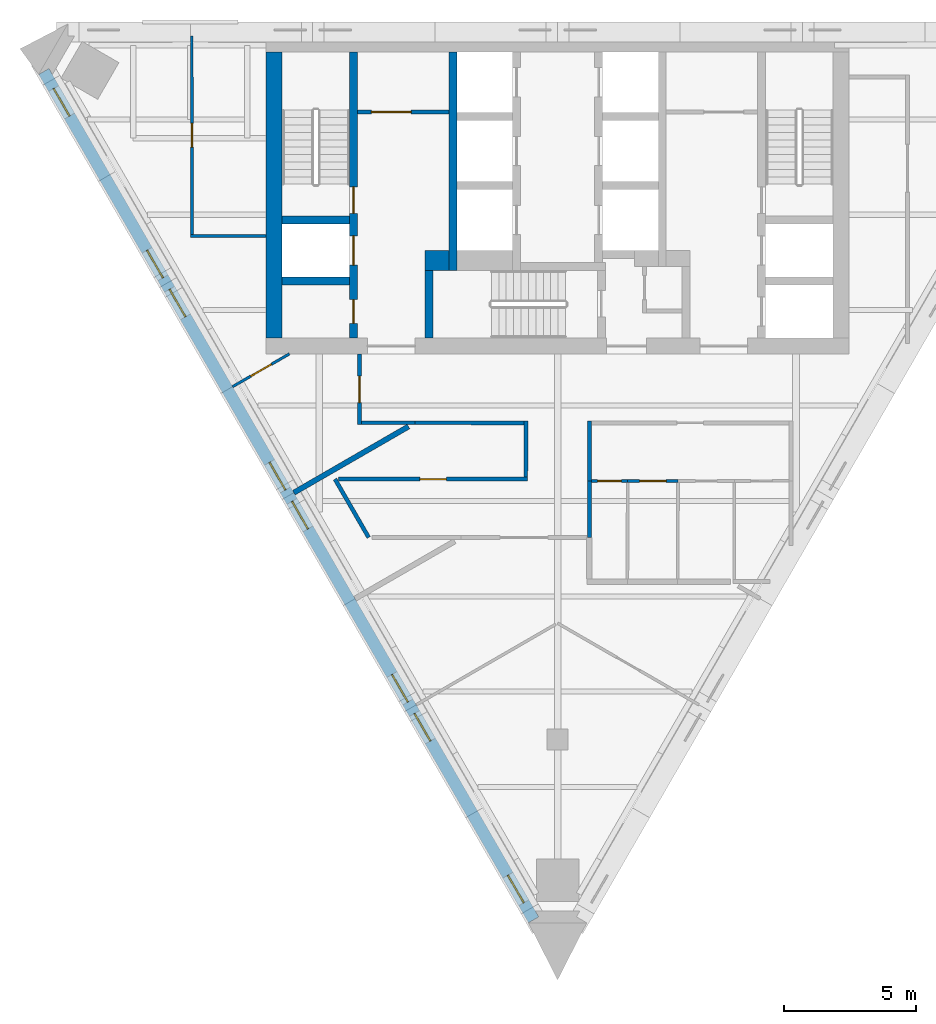
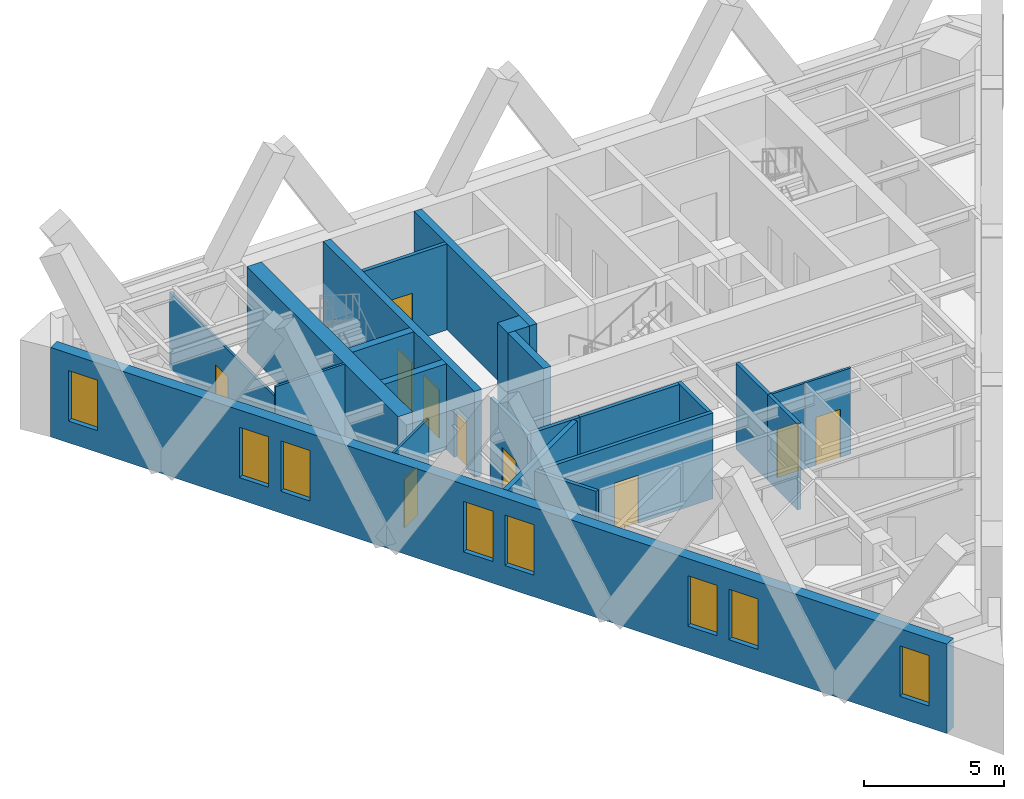
# One storey, part 3 of 7: 23 walls, 10 doors, 8 windows, 18 openings.
"""IFC4 building model written with IfcOpenShell, lengths in metres."""

from ifc_helpers import new_model, si_unit, direction, frame, frame_2d, origin, place, context, subcontext, project, spatial, polyline, rectangle, outline, extrude, material, layer, layer_set, type_object, element, fill, save


model = new_model("IFC4")

# Units and contexts
model_context = context("Model", 3, precision=1e-05, world=origin(), true_north=direction((0.0, 1.0)))
body_context = subcontext(model_context, "Body", "Model", "MODEL_VIEW")
ifc_project = project(units=[si_unit("LENGTHUNIT", "METRE"), si_unit("AREAUNIT", "SQUARE_METRE"), si_unit("VOLUMEUNIT", "CUBIC_METRE"), si_unit("PLANEANGLEUNIT", "RADIAN"), si_unit("MASSUNIT", "GRAM", prefix="KILO")], contexts=[model_context])

# Site, building, storey
site_placement = place(None, origin())
site = spatial("IfcSite", under=ifc_project, at=site_placement, CompositionType="ELEMENT")
building_placement = place(site_placement, origin())
building = spatial("IfcBuilding", under=site, at=building_placement, Name="Aloe Facet Convention Tower", CompositionType="ELEMENT")
storey_placement = place(building_placement, frame((0.0, 0.0, 246.5)))
storey = spatial("IfcBuildingStorey", under=building, at=storey_placement, Name="L60", CompositionType="ELEMENT", Elevation=246.5)

# Wall, opening, door
ifc_material_1 = material(Name="Concrete blockwork partition", Category="masonry")
ifc_layer_1 = layer(ifc_material_1, 0.14990234375)
ifc_layer_set_1 = layer_set([ifc_layer_1], Name="CR-W-PART150")
wall_type_1 = type_object("IfcWallType", Name="CR-W-PART150", PredefinedType="PARTITIONING", material=ifc_layer_set_1)
wall_1_placement = place(storey_placement, frame((72.449951171875, 131.675048828125, 0.0), z_axis=(0.0, 0.0, 1.0), x_axis=(1.0, 0.0, 0.0)))
wall_1 = element("IfcWall", 1, at=wall_1_placement, inside=storey, type_object=wall_type_1, Name="Core partition L60-007", PredefinedType="PARTITIONING", context=body_context, shape_type="SweptSolid", body=[
    extrude(rectangle(XDim=3.449951171875, YDim=0.14990234375, at=frame_2d((1.72509765625, 0.0))), origin(), (0.0, 0.0, 1.0), 3.75),
])
opening_1_placement = place(wall_1_placement, frame((0.52490234375, 0.0, 0.0)))
opening_1 = element("IfcOpeningElement", 2, at=opening_1_placement, cuts=wall_1, Name="Opening L60-CD14", PredefinedType="OPENING", context=body_context, shape_type="SweptSolid", body=[
    extrude(rectangle(XDim=1.5, YDim=2.10009765625, at=frame_2d((0.75, 1.050048828125))), frame((0.0, 0.0849609375, 0.0), z_axis=(0.0, -1.0, 0.0), x_axis=(1.0, 0.0, 0.0)), (0.0, 0.0, 1.0), 0.169921875),
])
ifc_material_2 = material(Name="Steel fire-resisting door set FD60", Category="steel")
door_type_1 = type_object("IfcDoorType", Name="CR-D-REFUGE-1500-FD60-DD", OperationType="DOUBLE_DOOR_DOUBLE_SWING", PredefinedType="DOOR", material=ifc_material_2)
door_1_placement = place(opening_1_placement, origin())
door_1 = element("IfcDoor", 3, at=door_1_placement, inside=storey, type_object=door_type_1, Name="Core door L60-CD14", OperationType="DOUBLE_DOOR_DOUBLE_SWING", OverallHeight=2.10009765625, OverallWidth=1.5, PredefinedType="DOOR", context=body_context, shape_type="SweptSolid", body=[
    extrude(rectangle(XDim=1.5, YDim=2.10009765625, at=frame_2d((0.75, 1.050048828125))), frame((0.0, 0.02490234375, 0.0), z_axis=(0.0, -1.0, 0.0), x_axis=(1.0, 0.0, 0.0)), (0.0, 0.0, 1.0), 0.050048828125),
])
fill(opening_1, door_1)

# Walls
ifc_material_3 = material(Name="Concrete C50/60", Category="concrete")
ifc_layer_2 = layer(ifc_material_3, 0.300048828125)
ifc_layer_set_2 = layer_set([ifc_layer_2], Name="CR-W-RC300-C5060")
wall_type_2 = type_object("IfcWallType", Name="CR-W-RC300-C5060", PredefinedType="SOLIDWALL", material=ifc_layer_set_2)
for number, where, z_axis, x_axis, name in (
    (4, (69.60009765625, 127.60009765625, 0.0), (0.0, 0.0, 1.0), (1.0, 0.0, 0.0), "Core wall L60-004"),
    (5, (69.60009765625, 125.300048828125, 0.0), (0.0, 0.0, 1.0), (1.0, 0.0, 0.0), "Core wall L60-005"),
):
    element("IfcWall", number, at=place(storey_placement, frame(where, z_axis=z_axis, x_axis=x_axis)), inside=storey, type_object=wall_type_2, Name=name, PredefinedType="SOLIDWALL", context=body_context, shape_type="SweptSolid", body=[
        extrude(rectangle(XDim=2.5498046875, YDim=0.300048828125, at=frame_2d((1.27490234375, 0.0))), origin(), (0.0, 0.0, 1.0), 3.75),
    ])

# Wall, openings, doors
wall_2_placement = place(storey_placement, frame((72.300048828125, 133.949951171875, 0.0), z_axis=(0.0, 0.0, 1.0), x_axis=(0.0, -1.0, 0.0)))
wall_2 = element("IfcWall", 6, at=wall_2_placement, inside=storey, type_object=wall_type_2, Name="Core wall L60-006", PredefinedType="SOLIDWALL", context=body_context, shape_type="SweptSolid", body=[
    extrude(rectangle(XDim=10.800048828125, YDim=0.300048828125, at=frame_2d((5.39990234375, 0.0))), origin(), (0.0, 0.0, 1.0), 3.75),
])
opening_2_placement = place(wall_2_placement, frame((6.949951171875, 0.0, 0.0)))
opening_2 = element("IfcOpeningElement", 7, at=opening_2_placement, cuts=wall_2, Name="Opening LD-FF1-L60", PredefinedType="OPENING", context=body_context, shape_type="SweptSolid", body=[
    extrude(rectangle(XDim=1.10009765625, YDim=2.10009765625, at=frame_2d((0.550048828125, 1.050048828125))), frame((0.0, 0.16015625, 0.0), z_axis=(0.0, -1.0, 0.0), x_axis=(1.0, 0.0, 0.0)), (0.0, 0.0, 1.0), 0.320068359375),
])
opening_3_placement = place(wall_2_placement, frame((9.35009765625, 0.0, 0.0)))
opening_3 = element("IfcOpeningElement", 8, at=opening_3_placement, cuts=wall_2, Name="Opening L60-CD15", PredefinedType="OPENING", context=body_context, shape_type="SweptSolid", body=[
    extrude(rectangle(XDim=0.89990234375, YDim=2.10009765625, at=frame_2d((0.449951171875, 1.050048828125))), frame((0.0, 0.16015625, 0.0), z_axis=(0.0, -1.0, 0.0), x_axis=(1.0, 0.0, 0.0)), (0.0, 0.0, 1.0), 0.320068359375),
])
opening_4_placement = place(wall_2_placement, frame((5.10009765625, 0.0, 0.0)))
opening_4 = element("IfcOpeningElement", 9, at=opening_4_placement, cuts=wall_2, Name="Opening L60-CD16", PredefinedType="OPENING", context=body_context, shape_type="SweptSolid", body=[
    extrude(rectangle(XDim=1.0, YDim=2.10009765625, at=frame_2d((0.5, 1.050048828125))), frame((0.0, 0.16015625, 0.0), z_axis=(0.0, -1.0, 0.0), x_axis=(1.0, 0.0, 0.0)), (0.0, 0.0, 1.0), 0.320068359375),
])
ifc_material_4 = material(Name="Steel fire-resisting door set FD60", Category="steel")
door_type_2 = type_object("IfcDoorType", Name="CR-D-ROOM-900-FD60-SLEFT", OperationType="SINGLE_SWING_LEFT", PredefinedType="DOOR", material=ifc_material_4)
door_2_placement = place(opening_3_placement, origin())
door_2 = element("IfcDoor", 10, at=door_2_placement, inside=storey, type_object=door_type_2, Name="Core door L60-CD15", OperationType="SINGLE_SWING_LEFT", OverallHeight=2.10009765625, OverallWidth=0.89990234375, PredefinedType="DOOR", context=body_context, shape_type="SweptSolid", body=[
    extrude(rectangle(XDim=0.89990234375, YDim=2.10009765625, at=frame_2d((0.449951171875, 1.050048828125))), frame((0.0, 0.02490234375, 0.0), z_axis=(0.0, -1.0, 0.0), x_axis=(1.0, 0.0, 0.0)), (0.0, 0.0, 1.0), 0.050048828125),
])
fill(opening_3, door_2)
ifc_material_5 = material(Name="Steel fire-resisting door set FD120", Category="steel")
door_type_3 = type_object("IfcDoorType", Name="CR-D-STAIR-1000-FD120-SRIGHT", OperationType="SINGLE_SWING_RIGHT", PredefinedType="DOOR", material=ifc_material_5)
door_3_placement = place(opening_4_placement, origin())
door_3 = element("IfcDoor", 11, at=door_3_placement, inside=storey, type_object=door_type_3, Name="Core door L60-CD16", OperationType="SINGLE_SWING_RIGHT", OverallHeight=2.10009765625, OverallWidth=1.0, PredefinedType="DOOR", context=body_context, shape_type="SweptSolid", body=[
    extrude(rectangle(XDim=1.0, YDim=2.10009765625, at=frame_2d((0.5, 1.050048828125))), frame((0.0, 0.02490234375, 0.0), z_axis=(0.0, -1.0, 0.0), x_axis=(1.0, 0.0, 0.0)), (0.0, 0.0, 1.0), 0.050048828125),
])
fill(opening_4, door_3)
ifc_material_6 = material(Name="Stainless steel sliding landing door", Category="steel")
door_type_4 = type_object("IfcDoorType", Name="CR-LD-1100-FD120-_LEFT", OperationType="SLIDING_TO_LEFT", PredefinedType="DOOR", material=ifc_material_6)
door_4_placement = place(opening_2_placement, origin())
door_4 = element("IfcDoor", 12, at=door_4_placement, inside=storey, type_object=door_type_4, Name="Landing door FF1 L60", OperationType="SLIDING_TO_LEFT", OverallHeight=2.10009765625, OverallWidth=1.10009765625, PredefinedType="DOOR", context=body_context, shape_type="SweptSolid", body=[
    extrude(rectangle(XDim=1.10009765625, YDim=2.10009765625, at=frame_2d((0.550048828125, 1.050048828125))), frame((0.0, 0.02490234375, 0.0), z_axis=(0.0, -1.0, 0.0), x_axis=(1.0, 0.0, 0.0)), (0.0, 0.0, 1.0), 0.050048828125),
])
fill(opening_2, door_4)

# Walls
wall_3_placement = place(storey_placement, frame((75.14990234375, 125.699951171875, 0.0), z_axis=(0.0, 0.0, 1.0), x_axis=(0.0, -1.0, 0.0)))
element("IfcWall", 13, at=wall_3_placement, inside=storey, type_object=wall_type_2, Name="Core wall L60-009", PredefinedType="SOLIDWALL", context=body_context, shape_type="SweptSolid", body=[
    extrude(rectangle(XDim=2.550048828125, YDim=0.300048828125, at=frame_2d((1.27490234375, 0.0))), origin(), (0.0, 0.0, 1.0), 3.75),
])
wall_4_placement = place(storey_placement, frame((76.050048828125, 133.949951171875, 0.0), z_axis=(0.0, 0.0, 1.0), x_axis=(0.0, -1.0, 0.0)))
element("IfcWall", 14, at=wall_4_placement, inside=storey, type_object=wall_type_2, Name="Core wall L60-010", PredefinedType="SOLIDWALL", context=body_context, shape_type="SweptSolid", body=[
    extrude(rectangle(XDim=8.25, YDim=0.300048828125, at=frame_2d((4.125, 0.0))), origin(), (0.0, 0.0, 1.0), 3.75),
])
ifc_material_7 = material(Name="Concrete C50/60", Category="concrete")
ifc_layer_3 = layer(ifc_material_7, 0.60009765625)
ifc_layer_set_3 = layer_set([ifc_layer_3], Name="CR-W-RC600-C5060")
wall_type_3 = type_object("IfcWallType", Name="CR-W-RC600-C5060", PredefinedType="SOLIDWALL", material=ifc_layer_set_3)
wall_5_placement = place(storey_placement, frame((69.300048828125, 133.949951171875, 0.0), z_axis=(0.0, 0.0, 1.0), x_axis=(0.0, -1.0, 0.0)))
element("IfcWall", 15, at=wall_5_placement, inside=storey, type_object=wall_type_3, Name="Core wall L60-002", PredefinedType="SOLIDWALL", context=body_context, shape_type="SweptSolid", body=[
    extrude(rectangle(XDim=10.800048828125, YDim=0.60009765625, at=frame_2d((5.39990234375, 0.0))), origin(), (0.0, 0.0, 1.0), 3.75),
])
ifc_material_8 = material(Name="Concrete C50/60", Category="concrete")
ifc_layer_4 = layer(ifc_material_8, 0.75)
ifc_layer_set_4 = layer_set([ifc_layer_4], Name="CR-W-RC750-C5060")
wall_type_4 = type_object("IfcWallType", Name="CR-W-RC750-C5060", PredefinedType="SOLIDWALL", material=ifc_layer_set_4)
wall_6_placement = place(storey_placement, frame((75.0, 126.074951171875, 0.0), z_axis=(0.0, 0.0, 1.0), x_axis=(1.0, 0.0, 0.0)))
element("IfcWall", 16, at=wall_6_placement, inside=storey, type_object=wall_type_4, Name="Core wall L60-008", PredefinedType="SOLIDWALL", context=body_context, shape_type="SweptSolid", body=[
    extrude(rectangle(XDim=0.89990234375, YDim=0.75, at=frame_2d((0.449951171875, 0.0))), origin(), (0.0, 0.0, 1.0), 3.75),
])

# Wall, openings, windows
ifc_material_9 = material(Name="Precast concrete C40/50", Category="concrete")
ifc_layer_5 = layer(ifc_material_9, 0.449951171875)
ifc_layer_set_5 = layer_set([ifc_layer_5], Name="EV-WALL-STONE")
wall_type_5 = type_object("IfcWallType", Name="EV-WALL-STONE", PredefinedType="SOLIDWALL", material=ifc_layer_set_5)
wall_7_placement = place(storey_placement, frame((60.608642578125, 133.207275390625, -0.14990234375), z_axis=(0.0, 0.0, 1.0), x_axis=(0.500002536638, -0.866023939251, 0.0)))
wall_7 = element("IfcWall", 17, at=wall_7_placement, inside=storey, type_object=wall_type_5, Name="EW-L60-W01", PredefinedType="SOLIDWALL", context=body_context, shape_type="SweptSolid", body=[
    extrude(outline(polyline([(36.972412109375, 0.0), (36.972412109375, 3.89990234375), (0.0, 3.89990234375), (0.0, 0.0), (36.972412109375, 0.0)])), frame((0.0, 0.22509765625, 0.0), z_axis=(0.0, -1.0, 0.0), x_axis=(1.0, 0.0, 0.0)), (0.0, 0.0, 1.0), 0.449951171875),
])
opening_5_placement = place(wall_7_placement, frame((0.744140625, 0.0, 0.949951171875)))
opening_5 = element("IfcOpeningElement", 18, at=opening_5_placement, cuts=wall_7, Name="Opening W-L60-W01", PredefinedType="OPENING", context=body_context, shape_type="SweptSolid", body=[
    extrude(rectangle(XDim=1.199951171875, YDim=2.199951171875, at=frame_2d((0.60009765625, 1.10009765625))), frame((0.0, 0.23486328125, 0.0), z_axis=(0.0, -1.0, 0.0), x_axis=(1.0, 0.0, 0.0)), (0.0, 0.0, 1.0), 0.469970703125),
])
opening_6_placement = place(wall_7_placement, frame((7.79296875, 0.0, 0.949951171875)))
opening_6 = element("IfcOpeningElement", 19, at=opening_6_placement, cuts=wall_7, Name="Opening W-L60-W02", PredefinedType="OPENING", context=body_context, shape_type="SweptSolid", body=[
    extrude(rectangle(XDim=1.199951171875, YDim=2.199951171875, at=frame_2d((0.60009765625, 1.10009765625))), frame((0.0, 0.23486328125, 0.0), z_axis=(0.0, -1.0, 0.0), x_axis=(1.0, 0.0, 0.0)), (0.0, 0.0, 1.0), 0.469970703125),
])
opening_7_placement = place(wall_7_placement, frame((9.4931640625, 0.0, 0.949951171875)))
opening_7 = element("IfcOpeningElement", 20, at=opening_7_placement, cuts=wall_7, Name="Opening W-L60-W03", PredefinedType="OPENING", context=body_context, shape_type="SweptSolid", body=[
    extrude(rectangle(XDim=1.199951171875, YDim=2.199951171875, at=frame_2d((0.60009765625, 1.10009765625))), frame((0.0, 0.23486328125, 0.0), z_axis=(0.0, -1.0, 0.0), x_axis=(1.0, 0.0, 0.0)), (0.0, 0.0, 1.0), 0.469970703125),
])
opening_8_placement = place(wall_7_placement, frame((17.0361328125, 0.0, 0.949951171875)))
opening_8 = element("IfcOpeningElement", 21, at=opening_8_placement, cuts=wall_7, Name="Opening W-L60-W04", PredefinedType="OPENING", context=body_context, shape_type="SweptSolid", body=[
    extrude(rectangle(XDim=1.199951171875, YDim=2.199951171875, at=frame_2d((0.60009765625, 1.10009765625))), frame((0.0, 0.23486328125, 0.0), z_axis=(0.0, -1.0, 0.0), x_axis=(1.0, 0.0, 0.0)), (0.0, 0.0, 1.0), 0.469970703125),
])
opening_9_placement = place(wall_7_placement, frame((18.736083984375, 0.0, 0.949951171875)))
opening_9 = element("IfcOpeningElement", 22, at=opening_9_placement, cuts=wall_7, Name="Opening W-L60-W05", PredefinedType="OPENING", context=body_context, shape_type="SweptSolid", body=[
    extrude(rectangle(XDim=1.199951171875, YDim=2.199951171875, at=frame_2d((0.60009765625, 1.10009765625))), frame((0.0, 0.23486328125, 0.0), z_axis=(0.0, -1.0, 0.0), x_axis=(1.0, 0.0, 0.0)), (0.0, 0.0, 1.0), 0.469970703125),
])
opening_10_placement = place(wall_7_placement, frame((26.279296875, 0.0, 0.949951171875)))
opening_10 = element("IfcOpeningElement", 23, at=opening_10_placement, cuts=wall_7, Name="Opening W-L60-W06", PredefinedType="OPENING", context=body_context, shape_type="SweptSolid", body=[
    extrude(rectangle(XDim=1.199951171875, YDim=2.199951171875, at=frame_2d((0.60009765625, 1.10009765625))), frame((0.0, 0.23486328125, 0.0), z_axis=(0.0, -1.0, 0.0), x_axis=(1.0, 0.0, 0.0)), (0.0, 0.0, 1.0), 0.469970703125),
])
opening_11_placement = place(wall_7_placement, frame((27.979248046875, 0.0, 0.949951171875)))
opening_11 = element("IfcOpeningElement", 24, at=opening_11_placement, cuts=wall_7, Name="Opening W-L60-W07", PredefinedType="OPENING", context=body_context, shape_type="SweptSolid", body=[
    extrude(rectangle(XDim=1.199951171875, YDim=2.199951171875, at=frame_2d((0.60009765625, 1.10009765625))), frame((0.0, 0.23486328125, 0.0), z_axis=(0.0, -1.0, 0.0), x_axis=(1.0, 0.0, 0.0)), (0.0, 0.0, 1.0), 0.469970703125),
])
opening_12_placement = place(wall_7_placement, frame((35.028076171875, 0.0, 0.949951171875)))
opening_12 = element("IfcOpeningElement", 25, at=opening_12_placement, cuts=wall_7, Name="Opening W-L60-W08", PredefinedType="OPENING", context=body_context, shape_type="SweptSolid", body=[
    extrude(rectangle(XDim=1.199951171875, YDim=2.199951171875, at=frame_2d((0.60009765625, 1.10009765625))), frame((0.0, 0.23486328125, 0.0), z_axis=(0.0, -1.0, 0.0), x_axis=(1.0, 0.0, 0.0)), (0.0, 0.0, 1.0), 0.469970703125),
])
ifc_material_10 = material(Name="Aluminium frame, clear double glazing", Category="aluminium")
window_type = type_object("IfcWindowType", Name="EV-WIN-O12", PartitioningType="SINGLE_PANEL", PredefinedType="WINDOW", material=ifc_material_10)
window_1_placement = place(opening_5_placement, origin())
window_1 = element("IfcWindow", 26, at=window_1_placement, inside=storey, type_object=window_type, Name="W-L60-W01", OverallHeight=2.199951171875, OverallWidth=1.199951171875, PartitioningType="SINGLE_PANEL", PredefinedType="WINDOW", context=body_context, shape_type="SweptSolid", body=[
    extrude(rectangle(XDim=1.199951171875, YDim=2.199951171875, at=frame_2d((0.60009765625, 1.10009765625))), frame((0.0, 0.030029296875, 0.0), z_axis=(0.0, -1.0, 0.0), x_axis=(1.0, 0.0, 0.0)), (0.0, 0.0, 1.0), 0.06005859375),
])
fill(opening_5, window_1)
window_2_placement = place(opening_6_placement, origin())
window_2 = element("IfcWindow", 27, at=window_2_placement, inside=storey, type_object=window_type, Name="W-L60-W02", OverallHeight=2.199951171875, OverallWidth=1.199951171875, PartitioningType="SINGLE_PANEL", PredefinedType="WINDOW", context=body_context, shape_type="SweptSolid", body=[
    extrude(rectangle(XDim=1.199951171875, YDim=2.199951171875, at=frame_2d((0.60009765625, 1.10009765625))), frame((0.0, 0.030029296875, 0.0), z_axis=(0.0, -1.0, 0.0), x_axis=(1.0, 0.0, 0.0)), (0.0, 0.0, 1.0), 0.06005859375),
])
fill(opening_6, window_2)
window_3_placement = place(opening_7_placement, origin())
window_3 = element("IfcWindow", 28, at=window_3_placement, inside=storey, type_object=window_type, Name="W-L60-W03", OverallHeight=2.199951171875, OverallWidth=1.199951171875, PartitioningType="SINGLE_PANEL", PredefinedType="WINDOW", context=body_context, shape_type="SweptSolid", body=[
    extrude(rectangle(XDim=1.199951171875, YDim=2.199951171875, at=frame_2d((0.60009765625, 1.10009765625))), frame((0.0, 0.030029296875, 0.0), z_axis=(0.0, -1.0, 0.0), x_axis=(1.0, 0.0, 0.0)), (0.0, 0.0, 1.0), 0.06005859375),
])
fill(opening_7, window_3)
window_4_placement = place(opening_8_placement, origin())
window_4 = element("IfcWindow", 29, at=window_4_placement, inside=storey, type_object=window_type, Name="W-L60-W04", OverallHeight=2.199951171875, OverallWidth=1.199951171875, PartitioningType="SINGLE_PANEL", PredefinedType="WINDOW", context=body_context, shape_type="SweptSolid", body=[
    extrude(rectangle(XDim=1.199951171875, YDim=2.199951171875, at=frame_2d((0.60009765625, 1.10009765625))), frame((0.0, 0.030029296875, 0.0), z_axis=(0.0, -1.0, 0.0), x_axis=(1.0, 0.0, 0.0)), (0.0, 0.0, 1.0), 0.06005859375),
])
fill(opening_8, window_4)
window_5_placement = place(opening_9_placement, origin())
window_5 = element("IfcWindow", 30, at=window_5_placement, inside=storey, type_object=window_type, Name="W-L60-W05", OverallHeight=2.199951171875, OverallWidth=1.199951171875, PartitioningType="SINGLE_PANEL", PredefinedType="WINDOW", context=body_context, shape_type="SweptSolid", body=[
    extrude(rectangle(XDim=1.199951171875, YDim=2.199951171875, at=frame_2d((0.60009765625, 1.10009765625))), frame((0.0, 0.030029296875, 0.0), z_axis=(0.0, -1.0, 0.0), x_axis=(1.0, 0.0, 0.0)), (0.0, 0.0, 1.0), 0.06005859375),
])
fill(opening_9, window_5)
window_6_placement = place(opening_10_placement, origin())
window_6 = element("IfcWindow", 31, at=window_6_placement, inside=storey, type_object=window_type, Name="W-L60-W06", OverallHeight=2.199951171875, OverallWidth=1.199951171875, PartitioningType="SINGLE_PANEL", PredefinedType="WINDOW", context=body_context, shape_type="SweptSolid", body=[
    extrude(rectangle(XDim=1.199951171875, YDim=2.199951171875, at=frame_2d((0.60009765625, 1.10009765625))), frame((0.0, 0.030029296875, 0.0), z_axis=(0.0, -1.0, 0.0), x_axis=(1.0, 0.0, 0.0)), (0.0, 0.0, 1.0), 0.06005859375),
])
fill(opening_10, window_6)
window_7_placement = place(opening_11_placement, origin())
window_7 = element("IfcWindow", 32, at=window_7_placement, inside=storey, type_object=window_type, Name="W-L60-W07", OverallHeight=2.199951171875, OverallWidth=1.199951171875, PartitioningType="SINGLE_PANEL", PredefinedType="WINDOW", context=body_context, shape_type="SweptSolid", body=[
    extrude(rectangle(XDim=1.199951171875, YDim=2.199951171875, at=frame_2d((0.60009765625, 1.10009765625))), frame((0.0, 0.030029296875, 0.0), z_axis=(0.0, -1.0, 0.0), x_axis=(1.0, 0.0, 0.0)), (0.0, 0.0, 1.0), 0.06005859375),
])
fill(opening_11, window_7)
window_8_placement = place(opening_12_placement, origin())
window_8 = element("IfcWindow", 33, at=window_8_placement, inside=storey, type_object=window_type, Name="W-L60-W08", OverallHeight=2.199951171875, OverallWidth=1.199951171875, PartitioningType="SINGLE_PANEL", PredefinedType="WINDOW", context=body_context, shape_type="SweptSolid", body=[
    extrude(rectangle(XDim=1.199951171875, YDim=2.199951171875, at=frame_2d((0.60009765625, 1.10009765625))), frame((0.0, 0.030029296875, 0.0), z_axis=(0.0, -1.0, 0.0), x_axis=(1.0, 0.0, 0.0)), (0.0, 0.0, 1.0), 0.06005859375),
])
fill(opening_12, window_8)

# Walls
ifc_material_11 = material(Name="Gypsum board partition on steel studs", Category="steel")
ifc_layer_6 = layer(ifc_material_11, 0.14990234375)
ifc_layer_set_6 = layer_set([ifc_layer_6], Name="IN-W-CORR")
wall_type_6 = type_object("IfcWallType", Name="IN-W-CORR", PredefinedType="PARTITIONING", material=ifc_layer_set_6)
wall_8_placement = place(storey_placement, frame((71.599609375, 117.8203125, 0.0), z_axis=(0.0, 0.0, 1.0), x_axis=(0.500035802948, -0.866004731956, 0.0)))
element("IfcWall", 34, at=wall_8_placement, inside=storey, type_object=wall_type_6, Name="Partition L60-W011", PredefinedType="PARTITIONING", context=body_context, shape_type="SweptSolid", body=[
    extrude(rectangle(XDim=2.540283203125, YDim=0.14990234375, at=frame_2d((1.27001953125, 0.0))), origin(), (0.0, 0.0, 1.0), 3.75),
])
wall_9_placement = place(storey_placement, frame((81.199951171875, 115.620361328125, 0.0), z_axis=(0.0, 0.0, 1.0), x_axis=(0.0, 1.0, 0.0)))
element("IfcWall", 35, at=wall_9_placement, inside=storey, type_object=wall_type_6, Name="Partition L60-W024", PredefinedType="PARTITIONING", context=body_context, shape_type="SweptSolid", body=[
    extrude(rectangle(XDim=2.129638671875, YDim=0.14990234375, at=frame_2d((1.06494140625, 0.0))), origin(), (0.0, 0.0, 1.0), 3.75),
])

# Wall, opening, door
wall_10_placement = place(storey_placement, frame((71.7294921875, 117.8203125, 0.0), z_axis=(0.0, 0.0, 1.0), x_axis=(1.0, 0.0, 0.0)))
wall_10 = element("IfcWall", 36, at=wall_10_placement, inside=storey, type_object=wall_type_6, Name="Partition L60-W025", PredefinedType="PARTITIONING", context=body_context, shape_type="SweptSolid", body=[
    extrude(rectangle(XDim=7.1435546875, YDim=0.14990234375, at=frame_2d((3.57177734375, 0.0))), origin(), (0.0, 0.0, 1.0), 3.75),
])
opening_13_placement = place(wall_10_placement, frame((3.07177734375, 0.0, 0.0)))
opening_13 = element("IfcOpeningElement", 37, at=opening_13_placement, cuts=wall_10, Name="Opening L60-009", PredefinedType="OPENING", context=body_context, shape_type="SweptSolid", body=[
    extrude(rectangle(XDim=1.0, YDim=2.10009765625, at=frame_2d((0.5, 1.050048828125))), frame((0.0, 0.0849609375, 0.0), z_axis=(0.0, -1.0, 0.0), x_axis=(1.0, 0.0, 0.0)), (0.0, 0.0, 1.0), 0.169921875),
])
ifc_material_12 = material(Name="Timber door FD30S with vision panel", Category="wood")
door_type_5 = type_object("IfcDoorType", Name="IN-OFF-D-ENTRY", OperationType="SINGLE_SWING_LEFT", PredefinedType="DOOR", material=ifc_material_12)
door_5_placement = place(opening_13_placement, origin())
door_5 = element("IfcDoor", 38, at=door_5_placement, inside=storey, type_object=door_type_5, Name="Door L60-009", OperationType="SINGLE_SWING_LEFT", OverallHeight=2.10009765625, OverallWidth=1.0, PredefinedType="DOOR", context=body_context, shape_type="SweptSolid", body=[
    extrude(rectangle(XDim=1.0, YDim=2.10009765625, at=frame_2d((0.5, 1.050048828125))), frame((0.0, 0.02490234375, 0.0), z_axis=(0.0, -1.0, 0.0), x_axis=(1.0, 0.0, 0.0)), (0.0, 0.0, 1.0), 0.050048828125),
])
fill(opening_13, door_5)

# Walls
wall_11_placement = place(storey_placement, frame((78.798095703125, 117.895263671875, 0.0), z_axis=(0.0, 0.0, 1.0), x_axis=(0.000917957158, 0.999999578677, 0.0)))
element("IfcWall", 39, at=wall_11_placement, inside=storey, type_object=wall_type_6, Name="Partition L60-W026", PredefinedType="PARTITIONING", context=body_context, shape_type="SweptSolid", body=[
    extrude(rectangle(XDim=2.127685546875, YDim=0.14990234375, at=frame_2d((1.06396484375, 0.0))), origin(), (0.0, 0.0, 1.0), 3.75),
])
wall_12_placement = place(storey_placement, frame((81.199951171875, 117.75, 0.0), z_axis=(0.0, 0.0, 1.0), x_axis=(0.0, 1.0, 0.0)))
element("IfcWall", 40, at=wall_12_placement, inside=storey, type_object=wall_type_6, Name="Partition L60-W027", PredefinedType="PARTITIONING", context=body_context, shape_type="SweptSolid", body=[
    extrude(rectangle(XDim=2.27294921875, YDim=0.14990234375, at=frame_2d((1.136474609375, 0.0))), origin(), (0.0, 0.0, 1.0), 3.75),
])

# Wall, opening, door
wall_13_placement = place(storey_placement, frame((72.52490234375, 119.875, 0.0), z_axis=(0.0, 0.0, 1.0), x_axis=(0.0, 1.0, 0.0)))
wall_13 = element("IfcWall", 41, at=wall_13_placement, inside=storey, type_object=wall_type_6, Name="Partition L60-W028", PredefinedType="PARTITIONING", context=body_context, shape_type="SweptSolid", body=[
    extrude(rectangle(XDim=2.6748046875, YDim=0.14990234375, at=frame_2d((1.33740234375, 0.0))), origin(), (0.0, 0.0, 1.0), 3.75),
])
opening_14_placement = place(wall_13_placement, frame((0.83740234375, 0.0, 0.0)))
opening_14 = element("IfcOpeningElement", 42, at=opening_14_placement, cuts=wall_13, Name="Opening L60-008", PredefinedType="OPENING", context=body_context, shape_type="SweptSolid", body=[
    extrude(rectangle(XDim=1.0, YDim=2.10009765625, at=frame_2d((0.5, 1.050048828125))), frame((0.0, 0.0849609375, 0.0), z_axis=(0.0, -1.0, 0.0), x_axis=(1.0, 0.0, 0.0)), (0.0, 0.0, 1.0), 0.169921875),
])
door_6_placement = place(opening_14_placement, origin())
door_6 = element("IfcDoor", 43, at=door_6_placement, inside=storey, type_object=door_type_5, Name="Door L60-008", OperationType="SINGLE_SWING_LEFT", OverallHeight=2.10009765625, OverallWidth=1.0, PredefinedType="DOOR", context=body_context, shape_type="SweptSolid", body=[
    extrude(rectangle(XDim=1.0, YDim=2.10009765625, at=frame_2d((0.5, 1.050048828125))), frame((0.0, 0.02490234375, 0.0), z_axis=(0.0, -1.0, 0.0), x_axis=(1.0, 0.0, 0.0)), (0.0, 0.0, 1.0), 0.050048828125),
])
fill(opening_14, door_6)

# Walls
wall_14_placement = place(storey_placement, frame((72.60009765625, 119.949951171875, 0.0), z_axis=(0.0, 0.0, 1.0), x_axis=(1.0, 0.0, 0.0)))
element("IfcWall", 44, at=wall_14_placement, inside=storey, type_object=wall_type_6, Name="Partition L60-W029", PredefinedType="PARTITIONING", context=body_context, shape_type="SweptSolid", body=[
    extrude(rectangle(XDim=2.0185546875, YDim=0.14990234375, at=frame_2d((1.00927734375, 0.0))), origin(), (0.0, 0.0, 1.0), 3.75),
])
wall_15_placement = place(storey_placement, frame((74.61865234375, 119.949951171875, 0.0), z_axis=(0.0, 0.0, 1.0), x_axis=(0.999999886891, -0.000475624203, 0.0)))
element("IfcWall", 45, at=wall_15_placement, inside=storey, type_object=wall_type_6, Name="Partition L60-W030", PredefinedType="PARTITIONING", context=body_context, shape_type="SweptSolid", body=[
    extrude(rectangle(XDim=4.1064453125, YDim=0.14990234375, at=frame_2d((2.05322265625, 0.0))), origin(), (0.0, 0.0, 1.0), 3.75),
])

# Wall, opening, door
ifc_material_13 = material(Name="Gypsum board partition on steel studs", Category="steel")
ifc_layer_7 = layer(ifc_material_13, 0.10009765625)
ifc_layer_set_7 = layer_set([ifc_layer_7], Name="IN-W-PART")
wall_type_7 = type_object("IfcWallType", Name="IN-W-PART", PredefinedType="PARTITIONING", material=ifc_layer_set_7)
wall_16_placement = place(storey_placement, frame((81.27490234375, 117.75, 0.0), z_axis=(0.0, 0.0, 1.0), x_axis=(1.0, 0.0, 0.0)))
wall_16 = element("IfcWall", 46, at=wall_16_placement, inside=storey, type_object=wall_type_7, Name="Partition L60-W018", PredefinedType="PARTITIONING", context=body_context, shape_type="SweptSolid", body=[
    extrude(rectangle(XDim=1.369140625, YDim=0.10009765625, at=frame_2d((0.6845703125, 0.0))), origin(), (0.0, 0.0, 1.0), 3.75),
])
opening_15_placement = place(wall_16_placement, frame((0.234619140625, 0.0, 0.0)))
opening_15 = element("IfcOpeningElement", 47, at=opening_15_placement, cuts=wall_16, Name="Opening L60-002", PredefinedType="OPENING", context=body_context, shape_type="SweptSolid", body=[
    extrude(rectangle(XDim=0.89990234375, YDim=2.10009765625, at=frame_2d((0.449951171875, 1.050048828125))), frame((0.0, 0.06005859375, 0.0), z_axis=(0.0, -1.0, 0.0), x_axis=(1.0, 0.0, 0.0)), (0.0, 0.0, 1.0), 0.1201171875),
])
ifc_material_14 = material(Name="Timber door", Category="wood")
door_type_6 = type_object("IfcDoorType", Name="IN-OFF-D-ROOM", OperationType="SINGLE_SWING_LEFT", PredefinedType="DOOR", material=ifc_material_14)
door_7_placement = place(opening_15_placement, origin())
door_7 = element("IfcDoor", 48, at=door_7_placement, inside=storey, type_object=door_type_6, Name="Door L60-002", OperationType="SINGLE_SWING_LEFT", OverallHeight=2.10009765625, OverallWidth=0.89990234375, PredefinedType="DOOR", context=body_context, shape_type="SweptSolid", body=[
    extrude(rectangle(XDim=0.89990234375, YDim=2.10009765625, at=frame_2d((0.449951171875, 1.050048828125))), frame((0.0, 0.02490234375, 0.0), z_axis=(0.0, -1.0, 0.0), x_axis=(1.0, 0.0, 0.0)), (0.0, 0.0, 1.0), 0.050048828125),
])
fill(opening_15, door_7)

wall_17_placement = place(storey_placement, frame((82.64404296875, 117.75, 0.0), z_axis=(0.0, 0.0, 1.0), x_axis=(1.0, 0.0, 0.0)))
wall_17 = element("IfcWall", 49, at=wall_17_placement, inside=storey, type_object=wall_type_7, Name="Partition L60-W020", PredefinedType="PARTITIONING", context=body_context, shape_type="SweptSolid", body=[
    extrude(rectangle(XDim=1.89990234375, YDim=0.10009765625, at=frame_2d((0.949951171875, 0.0))), origin(), (0.0, 0.0, 1.0), 3.75),
])
opening_16_placement = place(wall_17_placement, frame((0.449951171875, 0.0, 0.0)))
opening_16 = element("IfcOpeningElement", 50, at=opening_16_placement, cuts=wall_17, Name="Opening L60-003", PredefinedType="OPENING", context=body_context, shape_type="SweptSolid", body=[
    extrude(rectangle(XDim=1.0, YDim=2.10009765625, at=frame_2d((0.5, 1.050048828125))), frame((0.0, 0.06005859375, 0.0), z_axis=(0.0, -1.0, 0.0), x_axis=(1.0, 0.0, 0.0)), (0.0, 0.0, 1.0), 0.1201171875),
])
ifc_material_15 = material(Name="Timber door", Category="wood")
door_type_7 = type_object("IfcDoorType", Name="IN-OFF-D-WIDE", OperationType="SINGLE_SWING_LEFT", PredefinedType="DOOR", material=ifc_material_15)
door_8_placement = place(opening_16_placement, origin())
door_8 = element("IfcDoor", 51, at=door_8_placement, inside=storey, type_object=door_type_7, Name="Door L60-003", OperationType="SINGLE_SWING_LEFT", OverallHeight=2.10009765625, OverallWidth=1.0, PredefinedType="DOOR", context=body_context, shape_type="SweptSolid", body=[
    extrude(rectangle(XDim=1.0, YDim=2.10009765625, at=frame_2d((0.5, 1.050048828125))), frame((0.0, 0.02490234375, 0.0), z_axis=(0.0, -1.0, 0.0), x_axis=(1.0, 0.0, 0.0)), (0.0, 0.0, 1.0), 0.050048828125),
])
fill(opening_16, door_8)

wall_18_placement = place(storey_placement, frame((67.73583984375, 121.312744140625, 0.0), z_axis=(0.0, 0.0, 1.0), x_axis=(0.866024577697, 0.500001430823, 0.0)))
wall_18 = element("IfcWall", 52, at=wall_18_placement, inside=storey, type_object=wall_type_7, Name="Partition L60-W032", PredefinedType="PARTITIONING", context=body_context, shape_type="SweptSolid", body=[
    extrude(rectangle(XDim=2.474609375, YDim=0.10009765625, at=frame_2d((1.2373046875, 0.0))), origin(), (0.0, 0.0, 1.0), 3.75),
])
opening_17_placement = place(wall_18_placement, frame((0.787353515625, 0.0, 0.0)))
opening_17 = element("IfcOpeningElement", 53, at=opening_17_placement, cuts=wall_18, Name="Opening L60-007", PredefinedType="OPENING", context=body_context, shape_type="SweptSolid", body=[
    extrude(rectangle(XDim=0.89990234375, YDim=2.10009765625, at=frame_2d((0.449951171875, 1.050048828125))), frame((0.0, 0.06005859375, 0.0), z_axis=(0.0, -1.0, 0.0), x_axis=(1.0, 0.0, 0.0)), (0.0, 0.0, 1.0), 0.1201171875),
])
door_9_placement = place(opening_17_placement, origin())
door_9 = element("IfcDoor", 54, at=door_9_placement, inside=storey, type_object=door_type_6, Name="Door L60-007", OperationType="SINGLE_SWING_LEFT", OverallHeight=2.10009765625, OverallWidth=0.89990234375, PredefinedType="DOOR", context=body_context, shape_type="SweptSolid", body=[
    extrude(rectangle(XDim=0.89990234375, YDim=2.10009765625, at=frame_2d((0.449951171875, 1.050048828125))), frame((0.0, 0.02490234375, 0.0), z_axis=(0.0, -1.0, 0.0), x_axis=(1.0, 0.0, 0.0)), (0.0, 0.0, 1.0), 0.050048828125),
])
fill(opening_17, door_9)

# Wall
wall_19_placement = place(storey_placement, frame((66.150390625, 127.0, 0.0), z_axis=(0.0, 0.0, 1.0), x_axis=(1.0, 0.0, 0.0)))
element("IfcWall", 55, at=wall_19_placement, inside=storey, type_object=wall_type_7, Name="Partition L60-W034", PredefinedType="PARTITIONING", context=body_context, shape_type="SweptSolid", body=[
    extrude(rectangle(XDim=2.849609375, YDim=0.10009765625, at=frame_2d((1.4248046875, 0.0))), origin(), (0.0, 0.0, 1.0), 3.75),
])

# Wall, opening, door
wall_20_placement = place(storey_placement, frame((66.2001953125, 127.050048828125, 0.0), z_axis=(0.0, 0.0, 1.0), x_axis=(-0.000260425135, 0.999999966089, 0.0)))
wall_20 = element("IfcWall", 56, at=wall_20_placement, inside=storey, type_object=wall_type_7, Name="Partition L60-W036", PredefinedType="PARTITIONING", context=body_context, shape_type="SweptSolid", body=[
    extrude(rectangle(XDim=7.499755859375, YDim=0.10009765625, at=frame_2d((3.75, 0.0))), origin(), (0.0, 0.0, 1.0), 3.280029296875),
])
opening_18_placement = place(wall_20_placement, frame((3.300048828125, 0.0, 0.0)))
opening_18 = element("IfcOpeningElement", 57, at=opening_18_placement, cuts=wall_20, Name="Opening L60-006", PredefinedType="OPENING", context=body_context, shape_type="SweptSolid", body=[
    extrude(rectangle(XDim=0.89990234375, YDim=2.10009765625, at=frame_2d((0.449951171875, 1.050048828125))), frame((0.0, 0.06005859375, 0.0), z_axis=(0.0, -1.0, 0.0), x_axis=(1.0, 0.0, 0.0)), (0.0, 0.0, 1.0), 0.1201171875),
])
door_10_placement = place(opening_18_placement, origin())
door_10 = element("IfcDoor", 58, at=door_10_placement, inside=storey, type_object=door_type_6, Name="Door L60-006", OperationType="SINGLE_SWING_LEFT", OverallHeight=2.10009765625, OverallWidth=0.89990234375, PredefinedType="DOOR", context=body_context, shape_type="SweptSolid", body=[
    extrude(rectangle(XDim=0.89990234375, YDim=2.10009765625, at=frame_2d((0.449951171875, 1.050048828125))), frame((0.0, 0.02490234375, 0.0), z_axis=(0.0, -1.0, 0.0), x_axis=(1.0, 0.0, 0.0)), (0.0, 0.0, 1.0), 0.050048828125),
])
fill(opening_18, door_10)

# Wall
ifc_material_16 = material(Name="Gypsum board partition on steel studs", Category="steel")
ifc_layer_8 = layer(ifc_material_16, 0.199951171875)
ifc_layer_set_8 = layer_set([ifc_layer_8], Name="IN-W-PARTY")
wall_type_8 = type_object("IfcWallType", Name="IN-W-PARTY", PredefinedType="PARTITIONING", material=ifc_layer_set_8)
wall_21_placement = place(storey_placement, frame((70.046630859375, 117.310302734375, 0.0), z_axis=(0.0, 0.0, 1.0), x_axis=(0.866032544947, 0.499987630939, 0.0)))
element("IfcWall", 59, at=wall_21_placement, inside=storey, type_object=wall_type_8, Name="Partition L60-W015", PredefinedType="PARTITIONING", context=body_context, shape_type="SweptSolid", body=[
    extrude(rectangle(XDim=4.994384765625, YDim=0.199951171875, at=frame_2d((2.4970703125, 0.0))), origin(), (0.0, 0.0, 1.0), 3.75),
])

save(model, "model.ifc")
